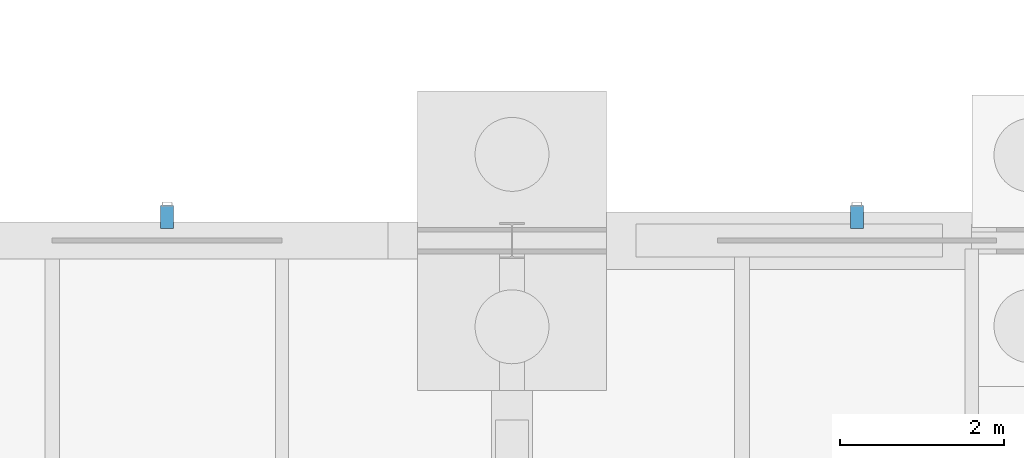
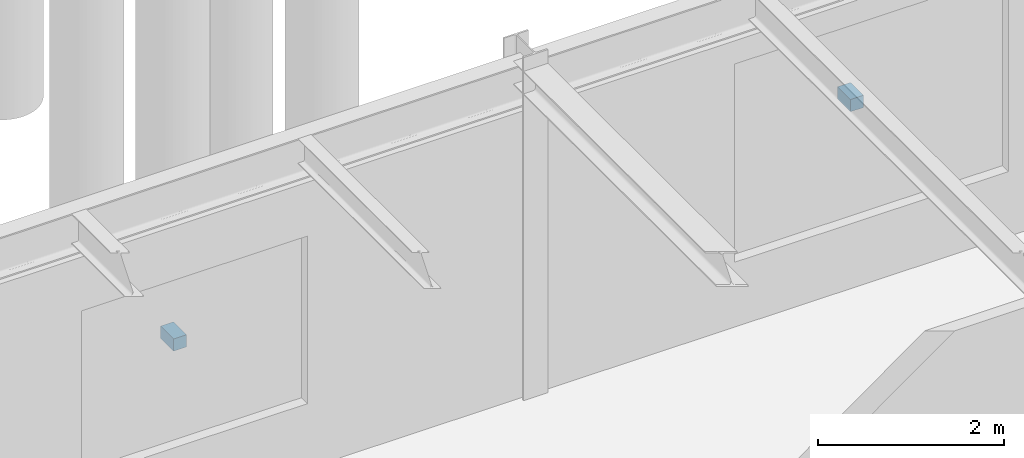
# One storey, part 69 of 93: 2 discrete accessories.
"""IFC4 building model written with IfcOpenShell, lengths in metres."""

from ifc_helpers import new_model, si_unit, derived_unit, direction, frame, origin, origin_2d, place, context, subcontext, project, spatial, rectangle, extrude, material, type_object, element, save


model = new_model("IFC4")

# Units and contexts
model_context = context("Model", 3, precision=1e-05, world=origin(), true_north=direction((0.0, 1.0)))
body_context = subcontext(model_context, "Body", "Model", "MODEL_VIEW")
ifc_project = project(units=[si_unit("LENGTHUNIT", "METRE"), si_unit("AREAUNIT", "SQUARE_METRE"), si_unit("VOLUMEUNIT", "CUBIC_METRE"), si_unit("PLANEANGLEUNIT", "RADIAN"), si_unit("MASSUNIT", "GRAM", prefix="KILO"), derived_unit("THERMALTRANSMITTANCEUNIT", [(si_unit("MASSUNIT", "GRAM", prefix="KILO"), 1), (si_unit("TIMEUNIT", "SECOND"), -3), (si_unit("THERMODYNAMICTEMPERATUREUNIT", "KELVIN"), -1)])], contexts=[model_context])

# Site, building, storey
site_placement = place(None, origin())
site = spatial("IfcSite", under=ifc_project, at=site_placement, CompositionType="ELEMENT")
building_placement = place(site_placement, origin())
building = spatial("IfcBuilding", under=site, at=building_placement, Name="Kharveza Railside Sports Centre", CompositionType="ELEMENT")
storey_placement = place(building_placement, origin())
storey = spatial("IfcBuildingStorey", under=building, at=storey_placement, Name="L00", CompositionType="ELEMENT", Elevation=0.0)

# Discrete accessories
ifc_material = material(Name="Steel S275JR", Category="steel")
discrete_accessory_type = type_object("IfcDiscreteAccessoryType", Name="DA-BK01", PredefinedType="BRACKET", material=ifc_material)
for number, where, z_axis, x_axis, name in (
    (1, (121.800048828125, 36.2900390625, 2.06982421875), (0.0, 0.0, 1.0), (0.0, 1.0, 0.0), "BK-FIN-010"),
    (2, (113.39990234375, 36.2900390625, 1.8701171875), (0.0, 0.0, 1.0), (0.0, 1.0, 0.0), "BK-FIN-011"),
):
    element("IfcDiscreteAccessory", number, at=place(storey_placement, frame(where, z_axis=z_axis, x_axis=x_axis)), inside=storey, type_object=discrete_accessory_type, Name=name, PredefinedType="BRACKET", context=body_context, shape_type="SweptSolid", body=[
        extrude(rectangle(XDim=0.280029296875, YDim=0.159912109375, at=origin_2d()), origin(), (0.0, 0.0, 1.0), 0.159912109375),
    ])

save(model, "model.ifc")
